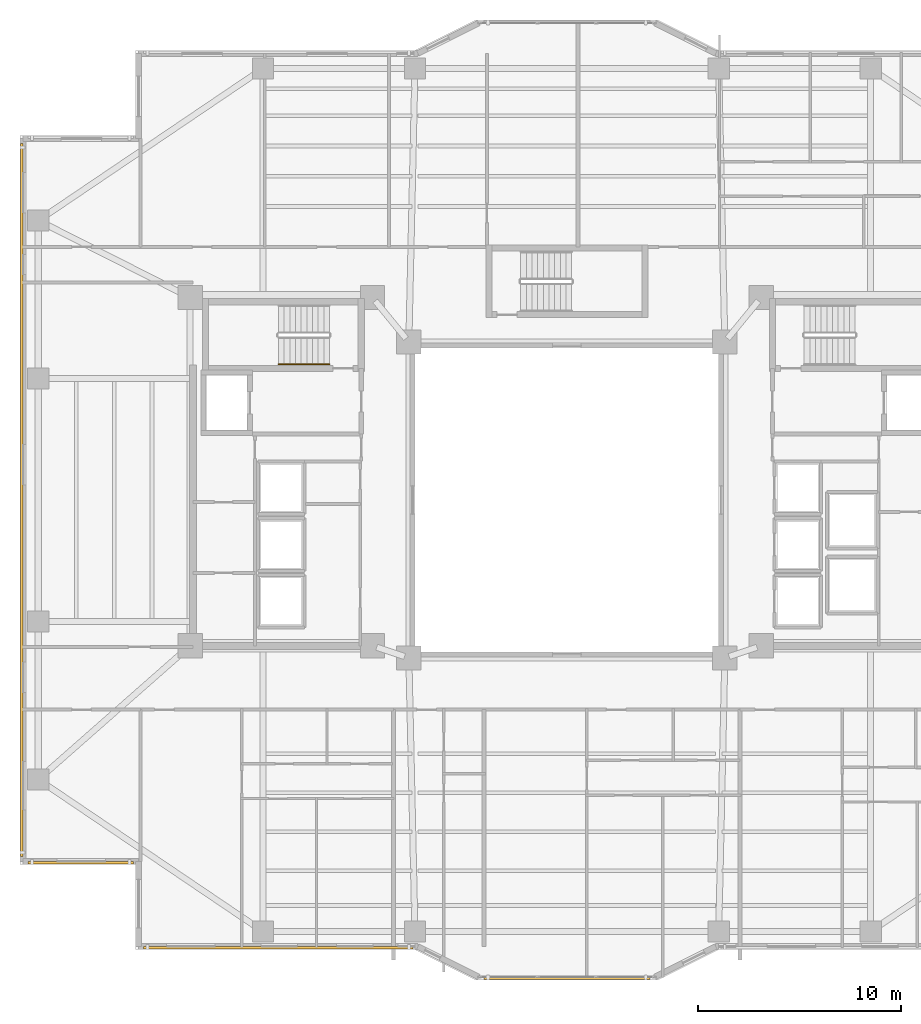
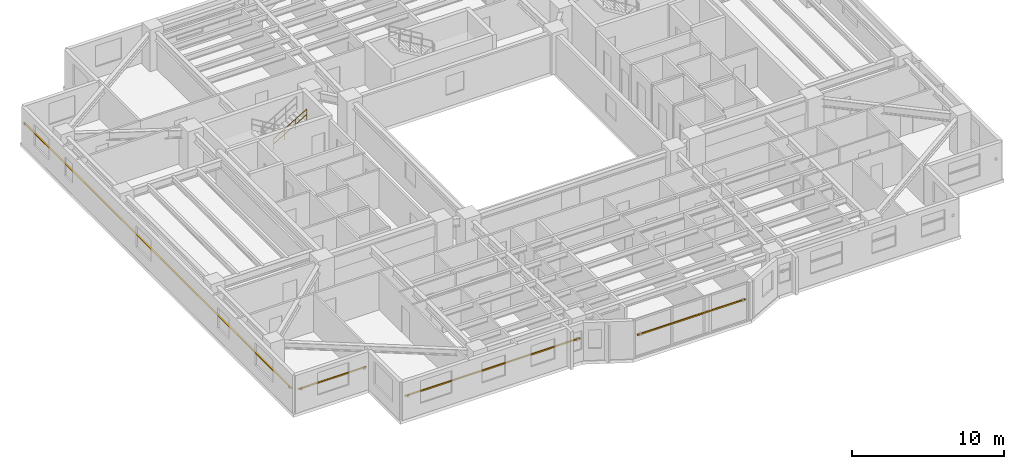
# One storey, part 14 of 18: 4 shading devices, 1 railing.
"""IFC4 building model written with IfcOpenShell, lengths in metres."""

from ifc_helpers import new_model, si_unit, direction, frame, origin, origin_2d, place, context, subcontext, project, spatial, rectangle, circle, extrude, material, material_profile, profile_set, type_object, element, save


model = new_model("IFC4")

# Units and contexts
model_context = context("Model", 3, precision=1e-05, world=origin(), true_north=direction((0.0, 1.0)))
body_context = subcontext(model_context, "Body", "Model", "MODEL_VIEW")
ifc_project = project(units=[si_unit("LENGTHUNIT", "METRE"), si_unit("AREAUNIT", "SQUARE_METRE"), si_unit("VOLUMEUNIT", "CUBIC_METRE"), si_unit("PLANEANGLEUNIT", "RADIAN"), si_unit("MASSUNIT", "GRAM", prefix="KILO")], contexts=[model_context])

# Site, building, storey
site_placement = place(None, origin())
site = spatial("IfcSite", under=ifc_project, at=site_placement, CompositionType="ELEMENT")
building_placement = place(site_placement, origin())
building = spatial("IfcBuilding", under=site, at=building_placement, Name="Tarnavaz Court Tower", CompositionType="ELEMENT")
storey_placement = place(building_placement, frame((0.0, 0.0, 115.14990234375)))
storey = spatial("IfcBuildingStorey", under=building, at=storey_placement, Name="L31", CompositionType="ELEMENT", Elevation=115.14990234375)

# Railing
ifc_material_1 = material(Name="Brushed Stainless Steel", Category="steel")
railing_type = type_object("IfcRailingType", Name="RL-HANDRAIL-900", PredefinedType="HANDRAIL", material=ifc_material_1)
railing_placement = place(storey_placement, frame((-14.239990234375, 6.699951171875, 1.842529296875)))
element("IfcRailing", 1, at=railing_placement, inside=storey, type_object=railing_type, Name="L31 ST-W1 stair handrail 2", PredefinedType="HANDRAIL", context=body_context, shape_type="SweptSolid", body=[
    extrude(circle(Radius=0.02392578125, at=origin_2d()), frame((0.0, 0.0, 0.8759765625), z_axis=(0.858159760407, 0.0, 0.513382728203), x_axis=(0.0, 1.0, 0.0)), (0.0, 0.0, 1.0), 2.9365234375),
    extrude(circle(Radius=0.02392578125, at=origin_2d()), frame((0.0, 0.0, 0.449951171875), z_axis=(0.858159760407, 0.0, 0.513382728203), x_axis=(0.0, 1.0, 0.0)), (0.0, 0.0, 1.0), 2.9365234375),
    extrude(circle(Radius=0.02099609375, at=origin_2d()), origin(), (0.0, 0.0, 1.0), 0.851806640625),
    extrude(circle(Radius=0.02099609375, at=origin_2d()), frame((0.840087890625, 0.0, 0.50244140625)), (0.0, 0.0, 1.0), 0.851806640625),
    extrude(circle(Radius=0.02099609375, at=origin_2d()), frame((1.679931640625, 0.0, 1.005126953125)), (0.0, 0.0, 1.0), 0.851806640625),
    extrude(circle(Radius=0.02099609375, at=origin_2d()), frame((2.52001953125, 0.0, 1.507568359375)), (0.0, 0.0, 1.0), 0.851806640625),
])

# Shading devices
ifc_material_2 = material(Name="Kiln-Fired Khorasan Terracotta Ceramic", Category="masonry")
ifc_material_profile = material_profile(ifc_material_2, rectangle(XDim=0.1201171875, YDim=0.06005859375, at=origin_2d()), Name="TC BAGUETTE 120X60")
ifc_profile_set = profile_set([ifc_material_profile], Name="Kiln-Fired Khorasan Terracotta Ceramic")
shading_device_type = type_object("IfcShadingDeviceType", Name="SD-BAG-120", PredefinedType="USERDEFINED", material=ifc_profile_set)
shading_device_1_placement = place(storey_placement, frame((-21.39990234375, -17.909912109375, 1.85009765625), z_axis=(-1.0, 0.0, 0.0), x_axis=(0.0, -1.0, 0.0)))
element("IfcShadingDevice", 2, at=shading_device_1_placement, inside=storey, type_object=shading_device_type, Name="L31 Terracotta Baguette Screen FBG01", ObjectType="BAGUETTE", PredefinedType="USERDEFINED", context=body_context, shape_type="SweptSolid", body=[
    extrude(rectangle(XDim=0.1201171875, YDim=0.06005859375, at=origin_2d()), origin(), (0.0, 0.0, 1.0), 5.2001953125),
])
shading_device_2_placement = place(storey_placement, frame((-26.909912109375, -17.60009765625, 1.85009765625), z_axis=(0.0, 1.0, 0.0), x_axis=(-1.0, 0.0, 0.0)))
element("IfcShadingDevice", 3, at=shading_device_2_placement, inside=storey, type_object=shading_device_type, Name="L31 Terracotta Baguette Screen FBG02", ObjectType="BAGUETTE", PredefinedType="USERDEFINED", context=body_context, shape_type="SweptSolid", body=[
    extrude(rectangle(XDim=0.1201171875, YDim=0.06005859375, at=origin_2d()), origin(), (0.0, 0.0, 1.0), 35.2001953125),
])
shading_device_3_placement = place(storey_placement, frame((4.10009765625, -23.610107421875, 1.800048828125), z_axis=(-1.0, 0.0, 0.0), x_axis=(0.0, -1.0, 0.0)))
element("IfcShadingDevice", 4, at=shading_device_3_placement, inside=storey, type_object=shading_device_type, Name="L31 Terracotta Baguette Screen PBG17", ObjectType="BAGUETTE", PredefinedType="USERDEFINED", context=body_context, shape_type="SweptSolid", body=[
    extrude(rectangle(XDim=0.1201171875, YDim=0.06005859375, at=origin_2d()), origin(), (0.0, 0.0, 1.0), 8.2001953125),
])
shading_device_4_placement = place(storey_placement, frame((-7.60009765625, -22.110107421875, 1.85009765625), z_axis=(-1.0, 0.0, 0.0), x_axis=(0.0, -1.0, 0.0)))
element("IfcShadingDevice", 5, at=shading_device_4_placement, inside=storey, type_object=shading_device_type, Name="L31 Terracotta Baguette Screen FBG19", ObjectType="BAGUETTE", PredefinedType="USERDEFINED", context=body_context, shape_type="SweptSolid", body=[
    extrude(rectangle(XDim=0.1201171875, YDim=0.06005859375, at=origin_2d()), origin(), (0.0, 0.0, 1.0), 13.2998046875),
])

save(model, "model.ifc")
